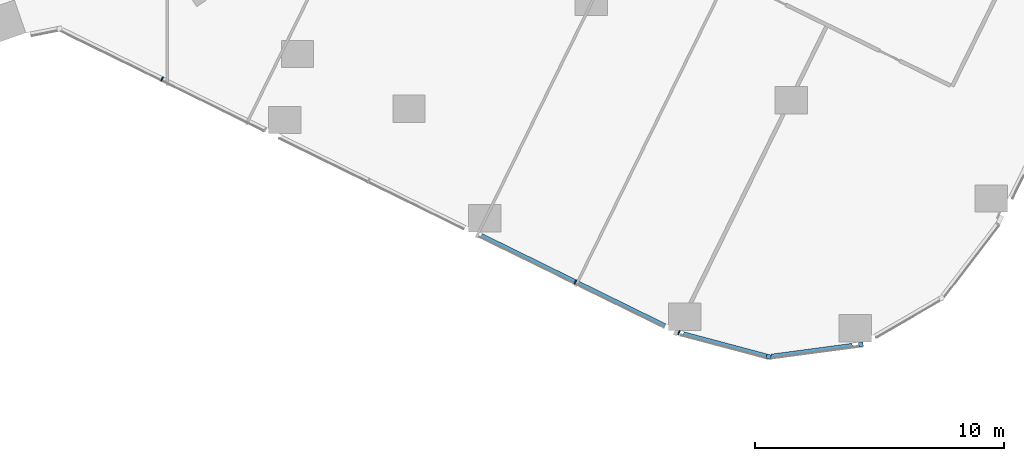
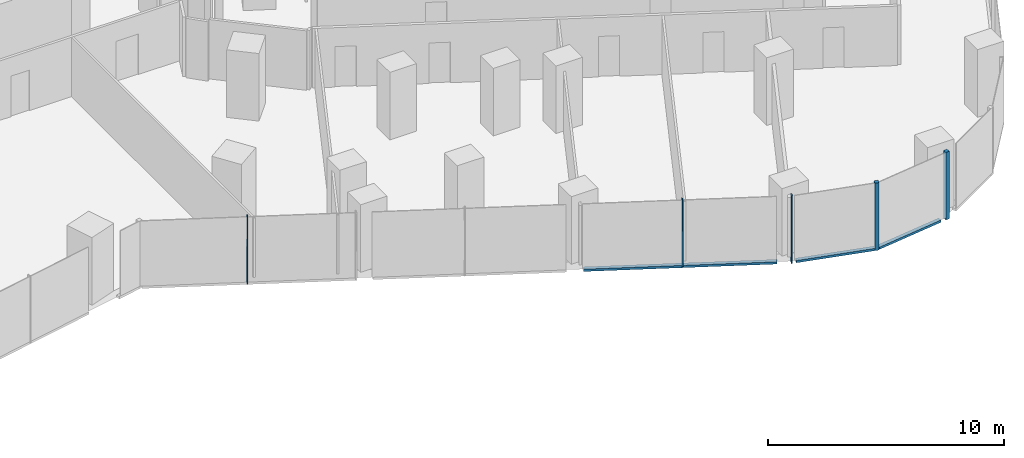
# One storey, part 8 of 38: 8 members, 3 elements without a shape of their own.
"""IFC4 building model written with IfcOpenShell, lengths in metres."""

import ifcopenshell
import ifcopenshell.guid

model = None  # the IFC model being written
_history = None  # IfcOwnerHistory: only IFC2X3 demands one
_inside = {}  # id of a spatial element -> (the spatial element, [elements in it])
_under = {}  # id of a project, library or spatial element -> (it, [spatial elements below it])
_declared = {}  # id of a project -> (the project, [libraries it declares])
_typed = {}  # id of a type object -> (the type object, [elements of that type])
_made_of = {}  # id of a material, layer set ... -> (it, [elements and type objects made of it])


def new_model(schema):
    """Start an empty IFC model of exactly this schema.

    Asked for "IFC4X3", IfcOpenShell would pick the latest addendum, in which some entities
    have other attributes; the version numbers below select the first issue.
    IFC2X3 requires an IfcOwnerHistory on every rooted entity: one is made here for all.
    """
    global model, _history
    if schema == "IFC4X3":
        model = ifcopenshell.file(schema_version=(4, 3, 0, 0))
    else:
        model = ifcopenshell.file(schema=schema)
    _inside.clear()
    _under.clear()
    _declared.clear()
    _typed.clear()
    _made_of.clear()
    _history = None
    if model.schema == "IFC2X3":
        org = make("IfcOrganization", Name="unknown")
        user = make(
            "IfcPersonAndOrganization",
            ThePerson=make("IfcPerson", FamilyName="unknown"),
            TheOrganization=org,
        )
        app = make(
            "IfcApplication",
            ApplicationDeveloper=org,
            Version="unknown",
            ApplicationFullName="unknown",
            ApplicationIdentifier="unknown",
        )
        _history = make(
            "IfcOwnerHistory",
            OwningUser=user,
            OwningApplication=app,
            ChangeAction="ADDED",
            CreationDate=0,
        )
    return model


def make(cls, **values):
    """One entity of the class cls with the attributes given. An attribute that is None is left unset."""
    return model.create_entity(
        cls, **{name: value for name, value in values.items() if value is not None}
    )


def rooted(cls, **values):
    """An entity with a GlobalId (a new one), such as an element, a storey or a relation."""
    return make(cls, GlobalId=ifcopenshell.guid.new(), OwnerHistory=_history, **values)


def si_unit(unit_type, name, prefix=None):
    """IfcSIUnit, for example si_unit("LENGTHUNIT", "METRE", prefix="MILLI")."""
    return make("IfcSIUnit", UnitType=unit_type, Prefix=prefix, Name=name)


def assignment(units):
    """IfcUnitAssignment: the units of a project."""
    return None if units is None else make("IfcUnitAssignment", Units=units)


def point(xyz):
    """IfcCartesianPoint."""
    return None if xyz is None else make("IfcCartesianPoint", Coordinates=xyz)


def direction(xyz):
    """IfcDirection."""
    return None if xyz is None else make("IfcDirection", DirectionRatios=xyz)


def frame(location, z_axis=None, x_axis=None):
    """IfcAxis2Placement3D, a coordinate frame: its origin and axes. An axis left out is left unset."""
    return make(
        "IfcAxis2Placement3D",
        Location=point(location),
        Axis=direction(z_axis),
        RefDirection=direction(x_axis),
    )


def frame_2d(location, x_axis=None):
    """IfcAxis2Placement2D, a coordinate frame in the plane: its origin and x axis."""
    return make(
        "IfcAxis2Placement2D", Location=point(location), RefDirection=direction(x_axis)
    )


def origin():
    """The frame at (0, 0, 0) with its axes left unset."""
    return frame((0.0, 0.0, 0.0))


def origin_2d():
    """The frame at (0, 0) in the plane with its x axis left unset."""
    return frame_2d((0.0, 0.0))


def place(relative_to, where):
    """IfcLocalPlacement: puts the frame where relative to a parent placement (None: the world)."""
    return make(
        "IfcLocalPlacement", PlacementRelTo=relative_to, RelativePlacement=where
    )


def context(
    kind, dimensions, precision=None, world=None, true_north=None, identifier=None
):
    """IfcGeometricRepresentationContext, for example the 3D "Model" context."""
    return make(
        "IfcGeometricRepresentationContext",
        ContextIdentifier=identifier,
        ContextType=kind,
        CoordinateSpaceDimension=dimensions,
        Precision=precision,
        WorldCoordinateSystem=world,
        TrueNorth=true_north,
    )


def subcontext(parent, identifier, kind, view, scale=None):
    """IfcGeometricRepresentationSubContext, for example "Body" below "Model"."""
    return make(
        "IfcGeometricRepresentationSubContext",
        ContextIdentifier=identifier,
        ContextType=kind,
        ParentContext=parent,
        TargetScale=scale,
        TargetView=view,
    )


def project(units=None, contexts=None):
    """IfcProject with its units and contexts."""
    return rooted(
        "IfcProject",
        Name="project",
        RepresentationContexts=contexts,
        UnitsInContext=assignment(units),
    )


def spatial(cls, under=None, at=None, **own):
    """A site, building, storey or space (cls), placed at a placement, below another one or the project."""
    s = rooted(cls, ObjectPlacement=at, **own)
    if under is not None:
        _under.setdefault(under.id(), (under, []))[1].append(s)
    return s


def profile(cls, at=None, kind="AREA", **sizes):
    """A parametric profile (cls). Its sizes go by their IFC names, for example OverallWidth=200.0."""
    return make(cls, ProfileType=kind, Position=at, **sizes)


def rectangle(**sizes):
    """IfcRectangleProfileDef."""
    return profile("IfcRectangleProfileDef", **sizes)


def extrude(swept, where, along, depth):
    """IfcExtrudedAreaSolid: the profile swept, set in the frame where, extruded along a direction by depth."""
    return make(
        "IfcExtrudedAreaSolid",
        SweptArea=swept,
        Position=where,
        ExtrudedDirection=direction(along),
        Depth=depth,
    )


def shape(context_of_items, identifier, shape_type, items):
    """IfcShapeRepresentation: the items that make up one representation, for example the "Body"."""
    return make(
        "IfcShapeRepresentation",
        ContextOfItems=context_of_items,
        RepresentationIdentifier=identifier,
        RepresentationType=shape_type,
        Items=items,
    )


def material(Name=None, Category=None):
    """IfcMaterial."""
    return make("IfcMaterial", Name=Name, Category=Category)


def material_profile(
    of_material, cross_section, Name=None, Category=None, Priority=None
):
    """IfcMaterialProfile: a cross section and its material."""
    return make(
        "IfcMaterialProfile",
        Name=Name,
        Material=of_material,
        Profile=cross_section,
        Priority=Priority,
        Category=Category,
    )


def profile_set(profiles, Name=None, composite=None):
    """IfcMaterialProfileSet."""
    return make(
        "IfcMaterialProfileSet",
        Name=Name,
        MaterialProfiles=profiles,
        CompositeProfile=composite,
    )


def made_of(thing, what):
    """Note that an element or type object is made of a material, layer set ...; save() writes the relation."""
    if what is not None:
        _made_of.setdefault(what.id(), (what, []))[1].append(thing)
    return thing


def type_object(cls, material=None, **own):
    """A type object (cls), such as IfcWallType, which elements share."""
    return made_of(rooted(cls, **own), material)


def element(
    cls,
    number,
    at=None,
    inside=None,
    cuts=None,
    type_object=None,
    material=None,
    context=None,
    identifier="Body",
    shape_type=None,
    held_by="IfcProductDefinitionShape",
    body=None,
    shapes=None,
    **own,
):
    """One element of the class cls, such as IfcWall. Its Tag is "e" and its number.

    at: its placement. inside: the storey or other place that contains it. cuts: it is an
    opening in that element (IfcRelVoidsElement). A single representation is given by context,
    identifier, shape_type and body (its items); several are given by shapes. held_by: the class
    of the entity that holds the representations. save() writes the other relations.
    """
    e = rooted(cls, Tag="e%d" % number, ObjectPlacement=at, **own)
    if body is not None:
        shapes = [shape(context, identifier, shape_type, body)]
    if shapes is not None:
        e.Representation = make(held_by, Representations=shapes)
    if inside is not None:
        _inside.setdefault(inside.id(), (inside, []))[1].append(e)
    if cuts is not None:
        rooted(
            "IfcRelVoidsElement", RelatingBuildingElement=cuts, RelatedOpeningElement=e
        )
    if type_object is not None:
        _typed.setdefault(type_object.id(), (type_object, []))[1].append(e)
    return made_of(e, material)


def aggregate(whole, parts):
    """IfcRelAggregates: a whole, such as a stair, and the parts it consists of."""
    return rooted("IfcRelAggregates", RelatingObject=whole, RelatedObjects=parts)


def save(model, path):
    """Write the relations noted so far, then the file.

    IfcRelAggregates (storeys below a building ...), IfcRelContainedInSpatialStructure (elements
    in a storey), IfcRelDefinesByType, IfcRelAssociatesMaterial and IfcRelDeclares: one each for
    every whole, place, type object, material and project.
    """
    for whole, parts in _under.values():
        aggregate(whole, parts)
    for where, things in _inside.values():
        rooted(
            "IfcRelContainedInSpatialStructure",
            RelatedElements=things,
            RelatingStructure=where,
        )
    for kind, things in _typed.values():
        rooted("IfcRelDefinesByType", RelatedObjects=things, RelatingType=kind)
    for what, things in _made_of.values():
        rooted("IfcRelAssociatesMaterial", RelatedObjects=things, RelatingMaterial=what)
    for by, libraries in _declared.values():
        rooted("IfcRelDeclares", RelatingContext=by, RelatedDefinitions=libraries)
    model.write(path)


model = new_model("IFC4")

# Units and contexts
model_context = context("Model", 3, precision=1e-05, world=origin(), true_north=direction((0.0, 1.0)))
body_context = subcontext(model_context, "Body", "Model", "MODEL_VIEW")
ifc_project = project(units=[si_unit("LENGTHUNIT", "METRE"), si_unit("AREAUNIT", "SQUARE_METRE"), si_unit("VOLUMEUNIT", "CUBIC_METRE"), si_unit("PLANEANGLEUNIT", "RADIAN"), si_unit("MASSUNIT", "GRAM", prefix="KILO")], contexts=[model_context])

# Site, building, storey
site_placement = place(None, origin())
site = spatial("IfcSite", under=ifc_project, at=site_placement, CompositionType="ELEMENT")
building_placement = place(site_placement, origin())
building = spatial("IfcBuilding", under=site, at=building_placement, Name="Orlundy Tower", CompositionType="ELEMENT")
storey_placement = place(building_placement, frame((0.0, 0.0, 62.300048828125)))
storey = spatial("IfcBuildingStorey", under=building, at=storey_placement, Name="L14", CompositionType="ELEMENT", Elevation=62.300048828125)

# Curtain wall, member
ifc_material_1 = material(Name="Aluminium bronze anodised", Category="aluminium")
curtain_wall_type = type_object("IfcCurtainWallType", Name="CW1 wall", PredefinedType="NOTDEFINED", material=ifc_material_1)
curtain_wall_1_placement = place(storey_placement, origin())
curtain_wall_1 = element("IfcCurtainWall", 1, at=curtain_wall_1_placement, inside=storey, type_object=curtain_wall_type, Name="CW1 run 026", PredefinedType="NOTDEFINED")
ifc_material_2 = material(Name="Aluminium bronze anodised", Category="aluminium")
ifc_material_profile_1 = material_profile(ifc_material_2, rectangle(XDim=0.179931640625, YDim=0.179931640625, at=origin_2d()), Name="CW1 corner post 180x180")
ifc_profile_set_1 = profile_set([ifc_material_profile_1], Name="Aluminium bronze anodised")
member_type_1 = type_object("IfcMemberType", Name="CW1 corner post 180x180", PredefinedType="MULLION", material=ifc_profile_set_1)
member_1_placement = place(storey_placement, frame((44.23974609375, -40.991943359375, -0.400146484375), z_axis=(0.0, 0.0, 1.0), x_axis=(0.132163720098, -0.991227900682, 0.0)))
member_1 = element("IfcMember", 2, at=member_1_placement, type_object=member_type_1, Name="CW1 mullion 67", PredefinedType="MULLION", context=body_context, shape_type="SweptSolid", body=[
    extrude(rectangle(XDim=0.179931640625, YDim=0.179931640625, at=origin_2d()), origin(), (0.0, 0.0, 1.0), 3.5),
])

curtain_wall_2_placement = place(storey_placement, origin())
curtain_wall_2 = element("IfcCurtainWall", 3, at=curtain_wall_2_placement, inside=storey, type_object=curtain_wall_type, Name="CW1 run 027", PredefinedType="NOTDEFINED")
member_2_placement = place(storey_placement, frame((40.529052734375, -41.486572265625, -0.400146484375), z_axis=(0.0, 0.0, 1.0), x_axis=(-0.25767944438, -0.966230461093, 0.0)))
member_2 = element("IfcMember", 4, at=member_2_placement, type_object=member_type_1, Name="CW1 mullion 68", PredefinedType="MULLION", context=body_context, shape_type="SweptSolid", body=[
    extrude(rectangle(XDim=0.179931640625, YDim=0.179931640625, at=origin_2d()), origin(), (0.0, 0.0, 1.0), 3.5),
])

# Curtain wall, members
curtain_wall_3_placement = place(storey_placement, origin())
curtain_wall_3 = element("IfcCurtainWall", 5, at=curtain_wall_3_placement, inside=storey, type_object=curtain_wall_type, Name="CW1 run 00", PredefinedType="NOTDEFINED")
ifc_material_3 = material(Name="Aluminium bronze anodised", Category="aluminium")
ifc_material_profile_2 = material_profile(ifc_material_3, rectangle(XDim=0.179931640625, YDim=0.050048828125, at=origin_2d()), Name="CW1 mullion 50x180")
ifc_profile_set_2 = profile_set([ifc_material_profile_2], Name="Aluminium bronze anodised")
member_type_2 = type_object("IfcMemberType", Name="CW1 mullion 50x180", PredefinedType="MULLION", material=ifc_profile_set_2)
member_3_placement = place(storey_placement, frame((36.92236328125, -40.524658203125, -0.400146484375), z_axis=(0.0, 0.0, 1.0), x_axis=(-0.351009416126, -0.936371929198, 0.0)))
member_3 = element("IfcMember", 6, at=member_3_placement, type_object=member_type_2, Name="CW1 mullion 1", PredefinedType="MULLION", context=body_context, shape_type="SweptSolid", body=[
    extrude(rectangle(XDim=0.179931640625, YDim=0.050048828125, at=origin_2d()), origin(), (0.0, 0.0, 1.0), 3.5),
])
member_4_placement = place(storey_placement, frame((32.758056640625, -38.478759765625, -0.400146484375), z_axis=(0.0, 0.0, 1.0), x_axis=(-0.440968989984, -0.897522339484, 0.0)))
member_4 = element("IfcMember", 7, at=member_4_placement, type_object=member_type_2, Name="CW1 mullion 2", PredefinedType="MULLION", context=body_context, shape_type="SweptSolid", body=[
    extrude(rectangle(XDim=0.179931640625, YDim=0.050048828125, at=origin_2d()), origin(), (0.0, 0.0, 1.0), 3.5),
])
member_5_placement = place(storey_placement, frame((16.133544921875, -30.310791015625, -0.400146484375), z_axis=(0.0, 0.0, 1.0), x_axis=(-0.440968989984, -0.897522339484, 0.0)))
member_5 = element("IfcMember", 8, at=member_5_placement, type_object=member_type_2, Name="CW1 mullion 6", PredefinedType="MULLION", context=body_context, shape_type="SweptSolid", body=[
    extrude(rectangle(XDim=0.179931640625, YDim=0.050048828125, at=origin_2d()), origin(), (0.0, 0.0, 1.0), 3.5),
])
ifc_material_4 = material(Name="Aluminium bronze anodised", Category="aluminium")
ifc_material_profile_3 = material_profile(ifc_material_4, rectangle(XDim=0.179931640625, YDim=0.1201171875, at=origin_2d()), Name="CW1 transom 180x120")
ifc_profile_set_3 = profile_set([ifc_material_profile_3], Name="Aluminium bronze anodised")
member_type_3 = type_object("IfcMemberType", Name="CW1 transom 180x120", PredefinedType="USERDEFINED", material=ifc_profile_set_3)
member_6_placement = place(storey_placement, frame((36.35791015625, -40.24755859375, -0.340087890625), z_axis=(-0.897508396763, 0.440997367045, 0.0), x_axis=(-0.440997367045, -0.897508396763, 0.0)))
member_6 = element("IfcMember", 9, at=member_6_placement, type_object=member_type_3, Name="CW1 transom", ObjectType="TRANSOM", PredefinedType="USERDEFINED", context=body_context, shape_type="SweptSolid", body=[
    extrude(rectangle(XDim=0.179931640625, YDim=0.1201171875, at=origin_2d()), origin(), (0.0, 0.0, 1.0), 8.23046875),
])
aggregate(curtain_wall_3, [member_3, member_4, member_5, member_6])

# Member
member_7_placement = place(storey_placement, frame((43.8935546875, -41.0380859375, -0.340087890625), z_axis=(-0.991234367235, -0.13211521189, 0.0), x_axis=(0.13211521189, -0.991234367235, 0.0)))
member_7 = element("IfcMember", 10, at=member_7_placement, type_object=member_type_3, Name="CW1 transom", ObjectType="TRANSOM", PredefinedType="USERDEFINED", context=body_context, shape_type="SweptSolid", body=[
    extrude(rectangle(XDim=0.179931640625, YDim=0.1201171875, at=origin_2d()), origin(), (0.0, 0.0, 1.0), 3.296630859375),
])

aggregate(curtain_wall_1, [member_1, member_7])

member_8_placement = place(storey_placement, frame((40.442138671875, -41.46337890625, -0.340087890625), z_axis=(-0.966229075732, 0.257684639064, 0.0), x_axis=(-0.257684639064, -0.966229075732, 0.0)))
member_8 = element("IfcMember", 11, at=member_8_placement, type_object=member_type_3, Name="CW1 transom", ObjectType="TRANSOM", PredefinedType="USERDEFINED", context=body_context, shape_type="SweptSolid", body=[
    extrude(rectangle(XDim=0.179931640625, YDim=0.1201171875, at=origin_2d()), origin(), (0.0, 0.0, 1.0), 3.455322265625),
])

aggregate(curtain_wall_2, [member_2, member_8])

save(model, "model.ifc")
